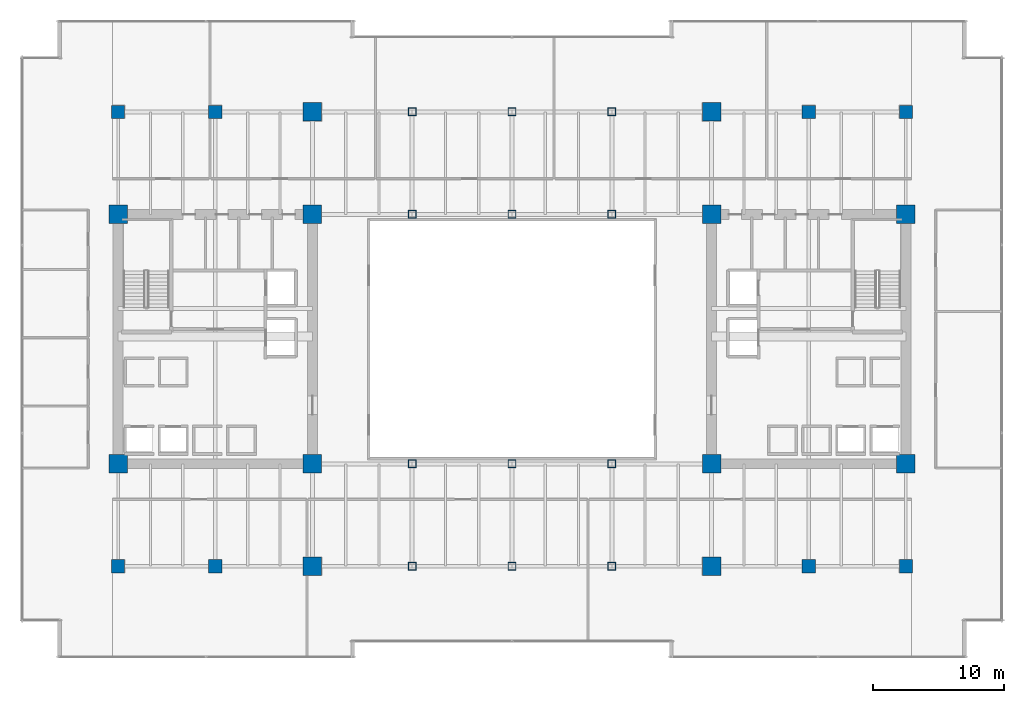
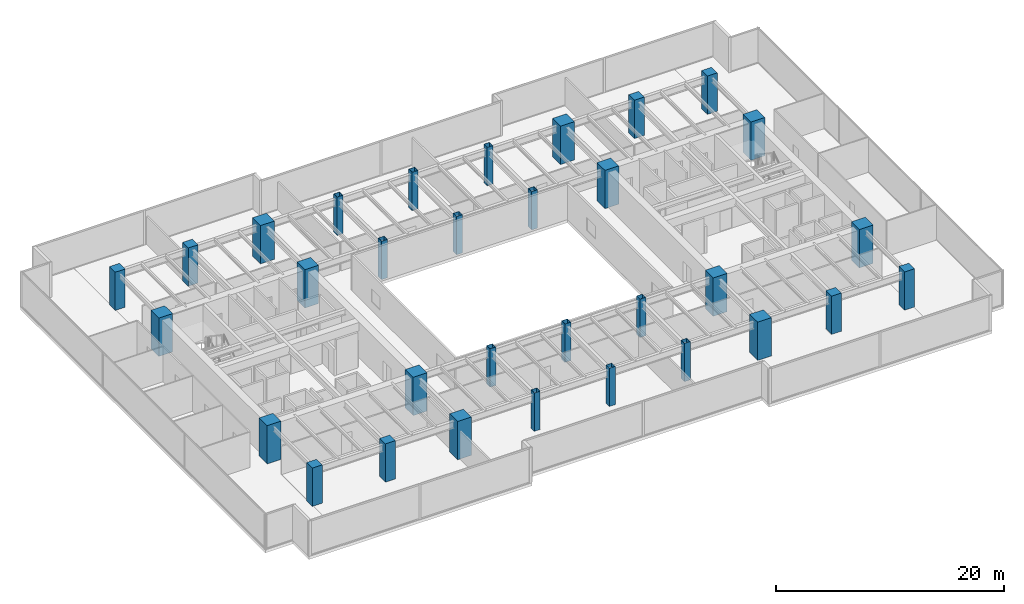
# One storey, part 1 of 36: 32 columns.
"""IFC4 building model written with IfcOpenShell, lengths in metres."""

from ifc_helpers import new_model, si_unit, direction, frame, origin, origin_2d, place, context, subcontext, project, spatial, rectangle, hollow_rectangle, extrude, source, transform, mapped, material, material_profile, profile_set, type_object, type_shapes, element, save


model = new_model("IFC4")

# Units and contexts
model_context = context("Model", 3, precision=1e-05, world=origin(), true_north=direction((0.0, 1.0)))
body_context = subcontext(model_context, "Body", "Model", "MODEL_VIEW")
ifc_project = project(units=[si_unit("LENGTHUNIT", "METRE"), si_unit("AREAUNIT", "SQUARE_METRE"), si_unit("VOLUMEUNIT", "CUBIC_METRE"), si_unit("PLANEANGLEUNIT", "RADIAN"), si_unit("MASSUNIT", "GRAM", prefix="KILO")], contexts=[model_context])

# Site, building, storey
site_placement = place(None, origin())
site = spatial("IfcSite", under=ifc_project, at=site_placement, CompositionType="ELEMENT")
building_placement = place(site_placement, origin())
building = spatial("IfcBuilding", under=site, at=building_placement, Name="Haelvirn Gate Laboratories", CompositionType="ELEMENT")
storey_placement = place(building_placement, frame((0.0, 0.0, 49.800048828125)))
storey = spatial("IfcBuildingStorey", under=building, at=storey_placement, Name="L12", CompositionType="ELEMENT", Elevation=49.800048828125)

# Columns
ifc_material_1 = material(Name="Concrete C60/75", Category="concrete")
ifc_material_profile_1 = material_profile(ifc_material_1, rectangle(XDim=1.0, YDim=1.0, at=origin_2d()), Name="RC-1000x1000")
ifc_profile_set_1 = profile_set([ifc_material_profile_1], Name="Concrete C60/75")
column_type_1 = type_object("IfcColumnType", Name="COL-RC-1000", PredefinedType="COLUMN", material=ifc_profile_set_1)
shared_shape_1 = source(origin(), body_context, "Body", "SweptSolid", [
    extrude(rectangle(XDim=1.0, YDim=1.0, at=origin_2d()), origin(), (0.0, 0.0, 1.0), 4.099853515625),
])
type_shapes(column_type_1, [shared_shape_1])
for number, where, z_axis, x_axis, name in (
    (1, (14.800048828125, 7.0, 0.0), (0.0, 0.0, 1.0), (1.0, 0.0, 0.0), "L12 Column 3B"),
    (2, (14.800048828125, 41.60009765625, 0.0), (0.0, 0.0, 1.0), (1.0, 0.0, 0.0), "L12 Column 3G"),
    (3, (60.0, 7.0, 0.0), (0.0, 0.0, 1.0), (1.0, 0.0, 0.0), "L12 Column 9B"),
    (4, (60.0, 41.60009765625, 0.0), (0.0, 0.0, 1.0), (1.0, 0.0, 0.0), "L12 Column 9G"),
    (5, (7.39990234375, 7.0, 0.0), (0.0, 0.0, 1.0), (1.0, 0.0, 0.0), "L12 Column 2B"),
    (6, (7.39990234375, 41.60009765625, 0.0), (0.0, 0.0, 1.0), (1.0, 0.0, 0.0), "L12 Column 2G"),
    (7, (67.39990234375, 7.0, 0.0), (0.0, 0.0, 1.0), (1.0, 0.0, 0.0), "L12 Column 10B"),
    (8, (67.39990234375, 41.60009765625, 0.0), (0.0, 0.0, 1.0), (1.0, 0.0, 0.0), "L12 Column 10G"),
):
    element("IfcColumn", number, at=place(storey_placement, frame(where, z_axis=z_axis, x_axis=x_axis)), inside=storey, type_object=column_type_1, Name=name, PredefinedType="COLUMN", context=body_context, shape_type="MappedRepresentation", body=[
        mapped(shared_shape_1, transform((0.0, 0.0, 0.0), scale=1.0)),
    ])
ifc_material_2 = material(Name="Concrete C70/85", Category="concrete")
ifc_material_profile_2 = material_profile(ifc_material_2, rectangle(XDim=1.39990234375, YDim=1.39990234375, at=origin_2d()), Name="SRC-1400x1400")
ifc_profile_set_2 = profile_set([ifc_material_profile_2], Name="Concrete C70/85")
column_type_2 = type_object("IfcColumnType", Name="COL-SRC-1400", PredefinedType="COLUMN", material=ifc_profile_set_2)
shared_shape_2 = source(origin(), body_context, "Body", "SweptSolid", [
    extrude(rectangle(XDim=1.39990234375, YDim=1.39990234375, at=origin_2d()), origin(), (0.0, 0.0, 1.0), 4.099853515625),
])
type_shapes(column_type_2, [shared_shape_2])
for number, where, z_axis, x_axis, name in (
    (9, (22.199951171875, 7.0, 0.0), (0.0, 0.0, 1.0), (1.0, 0.0, 0.0), "L12 Column 4B"),
    (10, (7.39990234375, 14.800048828125, 0.0), (0.0, 0.0, 1.0), (1.0, 0.0, 0.0), "L12 Column 2C"),
    (11, (22.199951171875, 14.800048828125, 0.0), (0.0, 0.0, 1.0), (1.0, 0.0, 0.0), "L12 Column 4C"),
    (12, (7.39990234375, 33.800048828125, 0.0), (0.0, 0.0, 1.0), (1.0, 0.0, 0.0), "L12 Column 2F"),
    (13, (22.199951171875, 33.800048828125, 0.0), (0.0, 0.0, 1.0), (1.0, 0.0, 0.0), "L12 Column 4F"),
    (14, (22.199951171875, 41.60009765625, 0.0), (0.0, 0.0, 1.0), (1.0, 0.0, 0.0), "L12 Column 4G"),
    (15, (52.60009765625, 7.0, 0.0), (0.0, 0.0, 1.0), (1.0, 0.0, 0.0), "L12 Column 8B"),
    (16, (52.60009765625, 14.800048828125, 0.0), (0.0, 0.0, 1.0), (1.0, 0.0, 0.0), "L12 Column 8C"),
    (17, (67.39990234375, 14.800048828125, 0.0), (0.0, 0.0, 1.0), (1.0, 0.0, 0.0), "L12 Column 10C"),
    (18, (52.60009765625, 33.800048828125, 0.0), (0.0, 0.0, 1.0), (1.0, 0.0, 0.0), "L12 Column 8F"),
    (19, (67.39990234375, 33.800048828125, 0.0), (0.0, 0.0, 1.0), (1.0, 0.0, 0.0), "L12 Column 10F"),
    (20, (52.60009765625, 41.60009765625, 0.0), (0.0, 0.0, 1.0), (1.0, 0.0, 0.0), "L12 Column 8G"),
):
    element("IfcColumn", number, at=place(storey_placement, frame(where, z_axis=z_axis, x_axis=x_axis)), inside=storey, type_object=column_type_2, Name=name, PredefinedType="COLUMN", context=body_context, shape_type="MappedRepresentation", body=[
        mapped(shared_shape_2, transform((0.0, 0.0, 0.0), scale=1.0)),
    ])
ifc_material_3 = material(Name="Steel SM420", Category="steel")
ifc_material_profile_3 = material_profile(ifc_material_3, hollow_rectangle(XDim=0.60009765625, YDim=0.60009765625, WallThickness=0.028076171875, at=origin_2d()), Name="BOX-600x600x28")
ifc_profile_set_3 = profile_set([ifc_material_profile_3], Name="Steel SM420")
column_type_3 = type_object("IfcColumnType", Name="COL-BOX-600", PredefinedType="COLUMN", material=ifc_profile_set_3)
shared_shape_3 = source(origin(), body_context, "Body", "SweptSolid", [
    extrude(hollow_rectangle(XDim=0.60009765625, YDim=0.60009765625, WallThickness=0.028076171875, at=origin_2d()), origin(), (0.0, 0.0, 1.0), 4.099853515625),
])
type_shapes(column_type_3, [shared_shape_3])
for number, where, z_axis, x_axis, name in (
    (21, (29.800048828125, 7.0, 0.0), (0.0, 0.0, 1.0), (1.0, 0.0, 0.0), "L12 Column 5B"),
    (22, (29.800048828125, 14.800048828125, 0.0), (0.0, 0.0, 1.0), (1.0, 0.0, 0.0), "L12 Column 5C"),
    (23, (29.800048828125, 33.800048828125, 0.0), (0.0, 0.0, 1.0), (1.0, 0.0, 0.0), "L12 Column 5F"),
    (24, (29.800048828125, 41.60009765625, 0.0), (0.0, 0.0, 1.0), (1.0, 0.0, 0.0), "L12 Column 5G"),
    (25, (37.39990234375, 7.0, 0.0), (0.0, 0.0, 1.0), (1.0, 0.0, 0.0), "L12 Column 6B"),
    (26, (37.39990234375, 14.800048828125, 0.0), (0.0, 0.0, 1.0), (1.0, 0.0, 0.0), "L12 Column 6C"),
    (27, (37.39990234375, 33.800048828125, 0.0), (0.0, 0.0, 1.0), (1.0, 0.0, 0.0), "L12 Column 6F"),
    (28, (37.39990234375, 41.60009765625, 0.0), (0.0, 0.0, 1.0), (1.0, 0.0, 0.0), "L12 Column 6G"),
    (29, (45.0, 7.0, 0.0), (0.0, 0.0, 1.0), (1.0, 0.0, 0.0), "L12 Column 7B"),
    (30, (45.0, 14.800048828125, 0.0), (0.0, 0.0, 1.0), (1.0, 0.0, 0.0), "L12 Column 7C"),
    (31, (45.0, 33.800048828125, 0.0), (0.0, 0.0, 1.0), (1.0, 0.0, 0.0), "L12 Column 7F"),
    (32, (45.0, 41.60009765625, 0.0), (0.0, 0.0, 1.0), (1.0, 0.0, 0.0), "L12 Column 7G"),
):
    element("IfcColumn", number, at=place(storey_placement, frame(where, z_axis=z_axis, x_axis=x_axis)), inside=storey, type_object=column_type_3, Name=name, PredefinedType="COLUMN", context=body_context, shape_type="MappedRepresentation", body=[
        mapped(shared_shape_3, transform((0.0, 0.0, 0.0), scale=1.0)),
    ])

save(model, "model.ifc")
